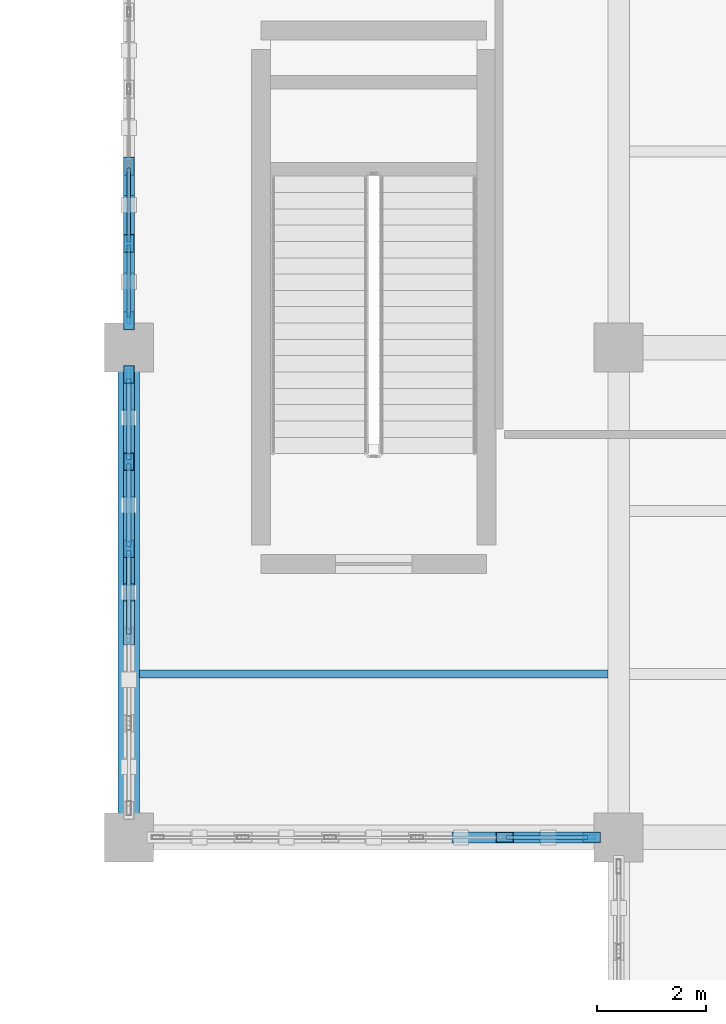
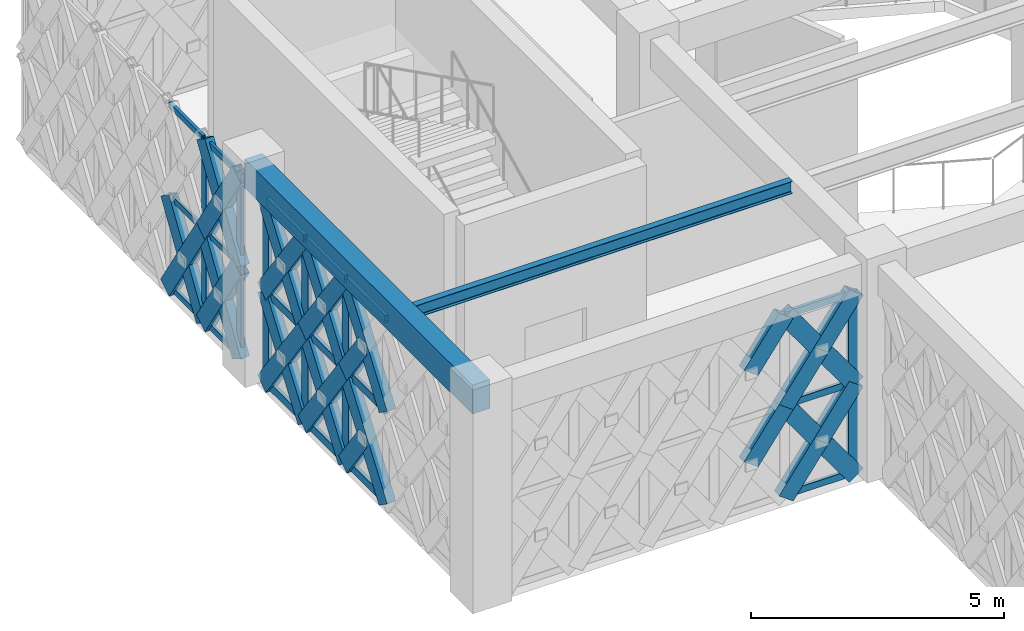
# One storey, part 63 of 155: 57 members, 2 beams, 3 elements without a shape of their own.
"""IFC4 building model written with IfcOpenShell, lengths in metres."""

from ifc_helpers import new_model, si_unit, direction, frame, origin, origin_2d, place, context, subcontext, project, spatial, rectangle, hollow_rectangle, i_section, extrude, material, material_profile, profile_set, type_object, element, aggregate, save


model = new_model("IFC4")

# Units and contexts
model_context = context("Model", 3, precision=1e-05, world=origin(), true_north=direction((0.0, 1.0)))
body_context = subcontext(model_context, "Body", "Model", "MODEL_VIEW")
ifc_project = project(units=[si_unit("LENGTHUNIT", "METRE"), si_unit("AREAUNIT", "SQUARE_METRE"), si_unit("VOLUMEUNIT", "CUBIC_METRE"), si_unit("PLANEANGLEUNIT", "RADIAN"), si_unit("MASSUNIT", "GRAM", prefix="KILO")], contexts=[model_context])

# Site, building, storey
site_placement = place(None, origin())
site = spatial("IfcSite", under=ifc_project, at=site_placement, CompositionType="ELEMENT")
building_placement = place(site_placement, origin())
building = spatial("IfcBuilding", under=site, at=building_placement, Name="Haizhuo Lancet Aquarium", CompositionType="ELEMENT")
storey_placement = place(building_placement, frame((0.0, 0.0, 10.800048828125)))
storey = spatial("IfcBuildingStorey", under=building, at=storey_placement, Name="L02", CompositionType="ELEMENT", Elevation=10.800048828125)

# Beam
ifc_material_1 = material(Name="Concrete C40/50", Category="concrete")
ifc_material_profile_1 = material_profile(ifc_material_1, rectangle(XDim=0.39990234375, YDim=0.699951171875, at=origin_2d()), Name="RC-BM 400x700")
ifc_profile_set_1 = profile_set([ifc_material_profile_1], Name="Concrete C40/50")
beam_type_1 = type_object("IfcBeamType", Name="BM-RC-400x700", PredefinedType="BEAM", material=ifc_profile_set_1)
beam_1_placement = place(storey_placement, frame((-27.0, 36.0, 4.81005859375), z_axis=(0.0, 1.0, 0.0), x_axis=(-1.0, 0.0, 0.0)))
element("IfcBeam", 1, at=beam_1_placement, inside=storey, type_object=beam_type_1, Name="L02 V5 primary girder BM-L02-V5-001", PredefinedType="BEAM", context=body_context, shape_type="SweptSolid", body=[
    extrude(rectangle(XDim=0.39990234375, YDim=0.699951171875, at=origin_2d()), origin(), (0.0, 0.0, 1.0), 9.0),
])

# Curtain wall, members
ifc_material_2 = material(Name="Aluminium 6063-T6", Category="aluminium")
curtain_wall_type_1 = type_object("IfcCurtainWallType", Name="CWD-8510x4440", PredefinedType="NOTDEFINED", material=ifc_material_2)
curtain_wall_1_placement = place(storey_placement, origin())
curtain_wall_1 = element("IfcCurtainWall", 2, at=curtain_wall_1_placement, inside=storey, type_object=curtain_wall_type_1, Name="L02 curtain wall CW-V5-L02-145", PredefinedType="NOTDEFINED")
ifc_material_profile_2 = material_profile(ifc_material_2, hollow_rectangle(XDim=0.06494140625, YDim=0.179931640625, WallThickness=0.00390625, at=origin_2d()), Name="ALU-M 65x180x4")
ifc_profile_set_2 = profile_set([ifc_material_profile_2], Name="Aluminium 6063-T6")
member_type_1 = type_object("IfcMemberType", Name="CW-MUL-1", PredefinedType="MULLION", material=ifc_profile_set_2)
member_1_placement = place(storey_placement, frame((-27.0, 45.527099609375, 0.0), z_axis=(0.0, 0.0, 1.0), x_axis=(-1.0, 0.0, 0.0)))
member_1 = element("IfcMember", 3, at=member_1_placement, type_object=member_type_1, Name="CWD-85x44 mullion 1", PredefinedType="MULLION", context=body_context, shape_type="SweptSolid", body=[
    extrude(hollow_rectangle(XDim=0.06494140625, YDim=0.179931640625, WallThickness=0.00390625, at=origin_2d()), origin(), (0.0, 0.0, 1.0), 4.445068359375),
])
member_2_placement = place(storey_placement, frame((-27.0, 46.912109375, 0.0), z_axis=(0.0, 0.0, 1.0), x_axis=(-1.0, 0.0, 0.0)))
member_2 = element("IfcMember", 4, at=member_2_placement, type_object=member_type_1, Name="CWD-85x44 mullion 2", PredefinedType="MULLION", context=body_context, shape_type="SweptSolid", body=[
    extrude(hollow_rectangle(XDim=0.06494140625, YDim=0.179931640625, WallThickness=0.00390625, at=origin_2d()), origin(), (0.0, 0.0, 1.0), 4.445068359375),
])

# Curtain wall, member
curtain_wall_type_2 = type_object("IfcCurtainWallType", Name="CWD-8010x4410", PredefinedType="NOTDEFINED", material=ifc_material_2)
curtain_wall_2_placement = place(storey_placement, origin())
curtain_wall_2 = element("IfcCurtainWall", 5, at=curtain_wall_2_placement, inside=storey, type_object=curtain_wall_type_2, Name="L02 curtain wall CW-V5-L02-143", PredefinedType="NOTDEFINED")
ifc_material_profile_3 = material_profile(ifc_material_2, hollow_rectangle(XDim=0.074951171875, YDim=0.219970703125, WallThickness=0.0048828125, at=origin_2d()), Name="ALU-M 75x220x5")
ifc_profile_set_3 = profile_set([ifc_material_profile_3], Name="Aluminium 6063-T6")
member_type_2 = type_object("IfcMemberType", Name="CW-MUL-2", PredefinedType="MULLION", material=ifc_profile_set_3)
member_3_placement = place(storey_placement, frame((-18.532958984375, 36.0, 0.0), z_axis=(0.0, 0.0, 1.0), x_axis=(0.0, -1.0, 0.0)))
member_3 = element("IfcMember", 6, at=member_3_placement, type_object=member_type_2, Name="CWD-80x44 mullion 1", PredefinedType="MULLION", context=body_context, shape_type="SweptSolid", body=[
    extrude(hollow_rectangle(XDim=0.074951171875, YDim=0.219970703125, WallThickness=0.0048828125, at=origin_2d()), origin(), (0.0, 0.0, 1.0), 4.409912109375),
])

# Curtain wall, members
curtain_wall_type_3 = type_object("IfcCurtainWallType", Name="CWD-8010x4460", PredefinedType="NOTDEFINED", material=ifc_material_2)
curtain_wall_3_placement = place(storey_placement, origin())
curtain_wall_3 = element("IfcCurtainWall", 7, at=curtain_wall_3_placement, inside=storey, type_object=curtain_wall_type_3, Name="L02 curtain wall CW-V5-L02-144", PredefinedType="NOTDEFINED")
ifc_material_profile_4 = material_profile(ifc_material_2, hollow_rectangle(XDim=0.080078125, YDim=0.260009765625, WallThickness=0.0048828125, at=origin_2d()), Name="ALU-M 80x260x5")
ifc_profile_set_4 = profile_set([ifc_material_profile_4], Name="Aluminium 6063-T6")
member_type_3 = type_object("IfcMemberType", Name="CW-MUL-3", PredefinedType="MULLION", material=ifc_profile_set_4)
member_4_placement = place(storey_placement, frame((-27.0, 41.301025390625, 0.0), z_axis=(0.0, 0.0, 1.0), x_axis=(-1.0, 0.0, 0.0)))
member_4 = element("IfcMember", 8, at=member_4_placement, type_object=member_type_3, Name="CWD-80x44 mullion 4", PredefinedType="MULLION", context=body_context, shape_type="SweptSolid", body=[
    extrude(hollow_rectangle(XDim=0.080078125, YDim=0.260009765625, WallThickness=0.0048828125, at=origin_2d()), origin(), (0.0, 0.0, 1.0), 4.4599609375),
])
member_5_placement = place(storey_placement, frame((-27.0, 42.903076171875, 0.0), z_axis=(0.0, 0.0, 1.0), x_axis=(-1.0, 0.0, 0.0)))
member_5 = element("IfcMember", 9, at=member_5_placement, type_object=member_type_3, Name="CWD-80x44 mullion 5", PredefinedType="MULLION", context=body_context, shape_type="SweptSolid", body=[
    extrude(hollow_rectangle(XDim=0.080078125, YDim=0.260009765625, WallThickness=0.0048828125, at=origin_2d()), origin(), (0.0, 0.0, 1.0), 4.4599609375),
])
member_6_placement = place(storey_placement, frame((-27.0, 44.465087890625, 0.0), z_axis=(0.0, 0.0, 1.0), x_axis=(-1.0, 0.0, 0.0)))
member_6 = element("IfcMember", 10, at=member_6_placement, type_object=member_type_3, Name="CWD-80x44 mullion 6", PredefinedType="MULLION", context=body_context, shape_type="SweptSolid", body=[
    extrude(hollow_rectangle(XDim=0.080078125, YDim=0.260009765625, WallThickness=0.0048828125, at=origin_2d()), origin(), (0.0, 0.0, 1.0), 4.4599609375),
])

# Member
ifc_material_profile_5 = material_profile(ifc_material_2, hollow_rectangle(XDim=0.06494140625, YDim=0.139892578125, WallThickness=0.00390625, at=origin_2d()), Name="ALU-T 65x140x4")
ifc_profile_set_5 = profile_set([ifc_material_profile_5], Name="Aluminium 6063-T6")
member_type_4 = type_object("IfcMemberType", Name="CW-TRN-1", PredefinedType="NOTDEFINED", material=ifc_profile_set_5)
member_7_placement = place(storey_placement, frame((-27.0, 45.56005859375, 0.032958984375), z_axis=(0.0, 1.0, 0.0), x_axis=(-1.0, 0.0, 0.0)))
member_7 = element("IfcMember", 11, at=member_7_placement, type_object=member_type_4, Name="CWD-85x44 transom 1.1", ObjectType="TRANSOM", PredefinedType="USERDEFINED", context=body_context, shape_type="SweptSolid", body=[
    extrude(hollow_rectangle(XDim=0.06494140625, YDim=0.139892578125, WallThickness=0.00390625, at=origin_2d()), origin(), (0.0, 0.0, 1.0), 1.31982421875),
])

member_8_placement = place(storey_placement, frame((-27.0, 45.56005859375, 2.222900390625), z_axis=(0.0, 1.0, 0.0), x_axis=(-1.0, 0.0, 0.0)))
member_8 = element("IfcMember", 12, at=member_8_placement, type_object=member_type_4, Name="CWD-85x44 transom 1.2", ObjectType="TRANSOM", PredefinedType="USERDEFINED", context=body_context, shape_type="SweptSolid", body=[
    extrude(hollow_rectangle(XDim=0.06494140625, YDim=0.139892578125, WallThickness=0.00390625, at=origin_2d()), origin(), (0.0, 0.0, 1.0), 1.31982421875),
])

member_9_placement = place(storey_placement, frame((-27.0, 45.56005859375, 4.411865234375), z_axis=(0.0, 1.0, 0.0), x_axis=(-1.0, 0.0, 0.0)))
member_9 = element("IfcMember", 13, at=member_9_placement, type_object=member_type_4, Name="CWD-85x44 transom 1.3", ObjectType="TRANSOM", PredefinedType="USERDEFINED", context=body_context, shape_type="SweptSolid", body=[
    extrude(hollow_rectangle(XDim=0.06494140625, YDim=0.139892578125, WallThickness=0.00390625, at=origin_2d()), origin(), (0.0, 0.0, 1.0), 1.31982421875),
])

member_10_placement = place(storey_placement, frame((-27.0, 46.945068359375, 0.032958984375), z_axis=(0.0, 1.0, 0.0), x_axis=(-1.0, 0.0, 0.0)))
member_10 = element("IfcMember", 14, at=member_10_placement, type_object=member_type_4, Name="CWD-85x44 transom 2.1", ObjectType="TRANSOM", PredefinedType="USERDEFINED", context=body_context, shape_type="SweptSolid", body=[
    extrude(hollow_rectangle(XDim=0.06494140625, YDim=0.139892578125, WallThickness=0.00390625, at=origin_2d()), origin(), (0.0, 0.0, 1.0), 1.35205078125),
])

member_11_placement = place(storey_placement, frame((-27.0, 46.945068359375, 2.222900390625), z_axis=(0.0, 1.0, 0.0), x_axis=(-1.0, 0.0, 0.0)))
member_11 = element("IfcMember", 15, at=member_11_placement, type_object=member_type_4, Name="CWD-85x44 transom 2.2", ObjectType="TRANSOM", PredefinedType="USERDEFINED", context=body_context, shape_type="SweptSolid", body=[
    extrude(hollow_rectangle(XDim=0.06494140625, YDim=0.139892578125, WallThickness=0.00390625, at=origin_2d()), origin(), (0.0, 0.0, 1.0), 1.35205078125),
])

member_12_placement = place(storey_placement, frame((-27.0, 46.945068359375, 4.411865234375), z_axis=(0.0, 1.0, 0.0), x_axis=(-1.0, 0.0, 0.0)))
member_12 = element("IfcMember", 16, at=member_12_placement, type_object=member_type_4, Name="CWD-85x44 transom 2.3", ObjectType="TRANSOM", PredefinedType="USERDEFINED", context=body_context, shape_type="SweptSolid", body=[
    extrude(hollow_rectangle(XDim=0.06494140625, YDim=0.139892578125, WallThickness=0.00390625, at=origin_2d()), origin(), (0.0, 0.0, 1.0), 1.35205078125),
])

aggregate(curtain_wall_1, [member_1, member_2, member_7, member_8, member_9, member_10, member_11, member_12])

ifc_material_profile_6 = material_profile(ifc_material_2, hollow_rectangle(XDim=0.074951171875, YDim=0.159912109375, WallThickness=0.00390625, at=origin_2d()), Name="ALU-T 75x160x4")
ifc_profile_set_6 = profile_set([ifc_material_profile_6], Name="Aluminium 6063-T6")
member_type_5 = type_object("IfcMemberType", Name="CW-TRN-2", PredefinedType="NOTDEFINED", material=ifc_profile_set_6)
member_13_placement = place(storey_placement, frame((-18.570068359375, 36.0, 0.037841796875), z_axis=(-1.0, 0.0, 0.0), x_axis=(0.0, -1.0, 0.0)))
member_13 = element("IfcMember", 17, at=member_13_placement, type_object=member_type_5, Name="CWD-80x44 transom 1.1", ObjectType="TRANSOM", PredefinedType="USERDEFINED", context=body_context, shape_type="SweptSolid", body=[
    extrude(hollow_rectangle(XDim=0.074951171875, YDim=0.159912109375, WallThickness=0.00390625, at=origin_2d()), origin(), (0.0, 0.0, 1.0), 1.489013671875),
])

member_14_placement = place(storey_placement, frame((-18.570068359375, 36.0, 2.204833984375), z_axis=(-1.0, 0.0, 0.0), x_axis=(0.0, -1.0, 0.0)))
member_14 = element("IfcMember", 18, at=member_14_placement, type_object=member_type_5, Name="CWD-80x44 transom 1.2", ObjectType="TRANSOM", PredefinedType="USERDEFINED", context=body_context, shape_type="SweptSolid", body=[
    extrude(hollow_rectangle(XDim=0.074951171875, YDim=0.159912109375, WallThickness=0.00390625, at=origin_2d()), origin(), (0.0, 0.0, 1.0), 1.489013671875),
])

member_15_placement = place(storey_placement, frame((-18.570068359375, 36.0, 4.373046875), z_axis=(-1.0, 0.0, 0.0), x_axis=(0.0, -1.0, 0.0)))
member_15 = element("IfcMember", 19, at=member_15_placement, type_object=member_type_5, Name="CWD-80x44 transom 1.3", ObjectType="TRANSOM", PredefinedType="USERDEFINED", context=body_context, shape_type="SweptSolid", body=[
    extrude(hollow_rectangle(XDim=0.074951171875, YDim=0.159912109375, WallThickness=0.00390625, at=origin_2d()), origin(), (0.0, 0.0, 1.0), 1.489013671875),
])

aggregate(curtain_wall_2, [member_3, member_13, member_14, member_15])

ifc_material_profile_7 = material_profile(ifc_material_2, hollow_rectangle(XDim=0.080078125, YDim=0.18994140625, WallThickness=0.0048828125, at=origin_2d()), Name="ALU-T 80x190x5")
ifc_profile_set_7 = profile_set([ifc_material_profile_7], Name="Aluminium 6063-T6")
member_type_6 = type_object("IfcMemberType", Name="CW-TRN-3", PredefinedType="NOTDEFINED", material=ifc_profile_set_7)
member_16_placement = place(storey_placement, frame((-27.0, 39.739013671875, 0.0400390625), z_axis=(0.0, 1.0, 0.0), x_axis=(-1.0, 0.0, 0.0)))
member_16 = element("IfcMember", 20, at=member_16_placement, type_object=member_type_6, Name="CWD-80x44 transom 3.1", ObjectType="TRANSOM", PredefinedType="USERDEFINED", context=body_context, shape_type="SweptSolid", body=[
    extrude(hollow_rectangle(XDim=0.080078125, YDim=0.18994140625, WallThickness=0.0048828125, at=origin_2d()), origin(), (0.0, 0.0, 1.0), 1.52197265625),
])

member_17_placement = place(storey_placement, frame((-27.0, 39.739013671875, 2.22998046875), z_axis=(0.0, 1.0, 0.0), x_axis=(-1.0, 0.0, 0.0)))
member_17 = element("IfcMember", 21, at=member_17_placement, type_object=member_type_6, Name="CWD-80x44 transom 3.2", ObjectType="TRANSOM", PredefinedType="USERDEFINED", context=body_context, shape_type="SweptSolid", body=[
    extrude(hollow_rectangle(XDim=0.080078125, YDim=0.18994140625, WallThickness=0.0048828125, at=origin_2d()), origin(), (0.0, 0.0, 1.0), 1.52197265625),
])

member_18_placement = place(storey_placement, frame((-27.0, 39.739013671875, 4.419921875), z_axis=(0.0, 1.0, 0.0), x_axis=(-1.0, 0.0, 0.0)))
member_18 = element("IfcMember", 22, at=member_18_placement, type_object=member_type_6, Name="CWD-80x44 transom 3.3", ObjectType="TRANSOM", PredefinedType="USERDEFINED", context=body_context, shape_type="SweptSolid", body=[
    extrude(hollow_rectangle(XDim=0.080078125, YDim=0.18994140625, WallThickness=0.0048828125, at=origin_2d()), origin(), (0.0, 0.0, 1.0), 1.52197265625),
])

member_19_placement = place(storey_placement, frame((-27.0, 41.341064453125, 0.0400390625), z_axis=(0.0, 1.0, 0.0), x_axis=(-1.0, 0.0, 0.0)))
member_19 = element("IfcMember", 23, at=member_19_placement, type_object=member_type_6, Name="CWD-80x44 transom 4.1", ObjectType="TRANSOM", PredefinedType="USERDEFINED", context=body_context, shape_type="SweptSolid", body=[
    extrude(hollow_rectangle(XDim=0.080078125, YDim=0.18994140625, WallThickness=0.0048828125, at=origin_2d()), origin(), (0.0, 0.0, 1.0), 1.52197265625),
])

member_20_placement = place(storey_placement, frame((-27.0, 41.341064453125, 2.22998046875), z_axis=(0.0, 1.0, 0.0), x_axis=(-1.0, 0.0, 0.0)))
member_20 = element("IfcMember", 24, at=member_20_placement, type_object=member_type_6, Name="CWD-80x44 transom 4.2", ObjectType="TRANSOM", PredefinedType="USERDEFINED", context=body_context, shape_type="SweptSolid", body=[
    extrude(hollow_rectangle(XDim=0.080078125, YDim=0.18994140625, WallThickness=0.0048828125, at=origin_2d()), origin(), (0.0, 0.0, 1.0), 1.52197265625),
])

member_21_placement = place(storey_placement, frame((-27.0, 41.341064453125, 4.419921875), z_axis=(0.0, 1.0, 0.0), x_axis=(-1.0, 0.0, 0.0)))
member_21 = element("IfcMember", 25, at=member_21_placement, type_object=member_type_6, Name="CWD-80x44 transom 4.3", ObjectType="TRANSOM", PredefinedType="USERDEFINED", context=body_context, shape_type="SweptSolid", body=[
    extrude(hollow_rectangle(XDim=0.080078125, YDim=0.18994140625, WallThickness=0.0048828125, at=origin_2d()), origin(), (0.0, 0.0, 1.0), 1.52197265625),
])

member_22_placement = place(storey_placement, frame((-27.0, 42.943115234375, 0.0400390625), z_axis=(0.0, 1.0, 0.0), x_axis=(-1.0, 0.0, 0.0)))
member_22 = element("IfcMember", 26, at=member_22_placement, type_object=member_type_6, Name="CWD-80x44 transom 5.1", ObjectType="TRANSOM", PredefinedType="USERDEFINED", context=body_context, shape_type="SweptSolid", body=[
    extrude(hollow_rectangle(XDim=0.080078125, YDim=0.18994140625, WallThickness=0.0048828125, at=origin_2d()), origin(), (0.0, 0.0, 1.0), 1.48193359375),
])

member_23_placement = place(storey_placement, frame((-27.0, 42.943115234375, 2.22998046875), z_axis=(0.0, 1.0, 0.0), x_axis=(-1.0, 0.0, 0.0)))
member_23 = element("IfcMember", 27, at=member_23_placement, type_object=member_type_6, Name="CWD-80x44 transom 5.2", ObjectType="TRANSOM", PredefinedType="USERDEFINED", context=body_context, shape_type="SweptSolid", body=[
    extrude(hollow_rectangle(XDim=0.080078125, YDim=0.18994140625, WallThickness=0.0048828125, at=origin_2d()), origin(), (0.0, 0.0, 1.0), 1.48193359375),
])

member_24_placement = place(storey_placement, frame((-27.0, 42.943115234375, 4.419921875), z_axis=(0.0, 1.0, 0.0), x_axis=(-1.0, 0.0, 0.0)))
member_24 = element("IfcMember", 28, at=member_24_placement, type_object=member_type_6, Name="CWD-80x44 transom 5.3", ObjectType="TRANSOM", PredefinedType="USERDEFINED", context=body_context, shape_type="SweptSolid", body=[
    extrude(hollow_rectangle(XDim=0.080078125, YDim=0.18994140625, WallThickness=0.0048828125, at=origin_2d()), origin(), (0.0, 0.0, 1.0), 1.48193359375),
])

aggregate(curtain_wall_3, [member_4, member_5, member_6, member_16, member_17, member_18, member_19, member_20, member_21, member_22, member_23, member_24])

# Beam
ifc_material_3 = material(Name="Steel S355", Category="steel")
ifc_material_profile_8 = material_profile(ifc_material_3, i_section(OverallWidth=0.14990234375, OverallDepth=0.300048828125, WebThickness=0.006591796875, FlangeThickness=0.009033203125, FilletRadius=0.012939453125, at=origin_2d()), Name="HN 300x150x6.5x9")
ifc_profile_set_8 = profile_set([ifc_material_profile_8], Name="Steel S355")
beam_type_2 = type_object("IfcBeamType", Name="JST-ST-HN300", PredefinedType="JOIST", material=ifc_profile_set_8)
beam_2_placement = place(storey_placement, frame((-26.800048828125, 39.0, 5.010009765625), z_axis=(1.0, 0.0, 0.0), x_axis=(0.0, 1.0, 0.0)))
element("IfcBeam", 29, at=beam_2_placement, inside=storey, type_object=beam_type_2, Name="L02 V5 secondary floor joist 1", PredefinedType="JOIST", context=body_context, shape_type="SweptSolid", body=[
    extrude(i_section(OverallWidth=0.14990234375, OverallDepth=0.300048828125, WebThickness=0.006591796875, FlangeThickness=0.009033203125, FilletRadius=0.012939453125, at=origin_2d()), origin(), (0.0, 0.0, 1.0), 8.60009765625),
])

# Members
ifc_material_profile_9 = material_profile(ifc_material_3, hollow_rectangle(XDim=0.199951171875, YDim=0.39990234375, WallThickness=0.011962890625, at=origin_2d()), Name="RHS 200x400x12")
ifc_profile_set_9 = profile_set([ifc_material_profile_9], Name="Steel S355")
member_type_7 = type_object("IfcMemberType", Name="MEM-LB-RHS200x400", PredefinedType="BRACE", material=ifc_profile_set_9)
member_25_placement = place(storey_placement, frame((-18.4951171875, 36.0, 0.0), z_axis=(-0.587761471996, 0.0, 0.809034271238), x_axis=(0.0, -1.0, 0.0)))
element("IfcMember", 30, at=member_25_placement, inside=storey, type_object=member_type_7, Name="Gothic lancet continuous diagonal brace CW-V5-L02-143 1A", PredefinedType="BRACE", context=body_context, shape_type="SweptSolid", body=[
    extrude(hollow_rectangle(XDim=0.199951171875, YDim=0.39990234375, WallThickness=0.011962890625, at=origin_2d()), origin(), (0.0, 0.0, 1.0), 2.725341796875),
])
member_26_placement = place(storey_placement, frame((-20.096923828125, 36.0, 0.0), z_axis=(0.587947920096, 0.0, 0.808898784308), x_axis=(0.0, 1.0, 0.0)))
element("IfcMember", 31, at=member_26_placement, inside=storey, type_object=member_type_7, Name="Gothic lancet split diagonal brace CW-V5-L02-143 1B1", PredefinedType="BRACE", context=body_context, shape_type="SweptSolid", body=[
    extrude(hollow_rectangle(XDim=0.199951171875, YDim=0.39990234375, WallThickness=0.011962890625, at=origin_2d()), origin(), (0.0, 0.0, 1.0), 1.3623046875),
])
member_27_placement = place(storey_placement, frame((-19.2958984375, 36.0, 1.10205078125), z_axis=(0.587575054123, 0.0, 0.809169670571), x_axis=(0.0, 1.0, 0.0)))
element("IfcMember", 32, at=member_27_placement, inside=storey, type_object=member_type_7, Name="Gothic lancet split diagonal brace CW-V5-L02-143 1B2", PredefinedType="BRACE", context=body_context, shape_type="SweptSolid", body=[
    extrude(hollow_rectangle(XDim=0.199951171875, YDim=0.39990234375, WallThickness=0.011962890625, at=origin_2d()), origin(), (0.0, 0.0, 1.0), 1.36279296875),
])
member_28_placement = place(storey_placement, frame((-18.4951171875, 36.0, 2.204833984375), z_axis=(-0.587718875297, 0.0, 0.809065215925), x_axis=(0.0, -1.0, 0.0)))
element("IfcMember", 33, at=member_28_placement, inside=storey, type_object=member_type_7, Name="Gothic lancet continuous diagonal brace CW-V5-L02-143 2A", PredefinedType="BRACE", context=body_context, shape_type="SweptSolid", body=[
    extrude(hollow_rectangle(XDim=0.199951171875, YDim=0.39990234375, WallThickness=0.011962890625, at=origin_2d()), origin(), (0.0, 0.0, 1.0), 2.7255859375),
])
member_29_placement = place(storey_placement, frame((-20.096923828125, 36.0, 2.204833984375), z_axis=(0.58760716657, 0.0, 0.809146351284), x_axis=(0.0, 1.0, 0.0)))
element("IfcMember", 34, at=member_29_placement, inside=storey, type_object=member_type_7, Name="Gothic lancet split diagonal brace CW-V5-L02-143 2B1", PredefinedType="BRACE", context=body_context, shape_type="SweptSolid", body=[
    extrude(hollow_rectangle(XDim=0.199951171875, YDim=0.39990234375, WallThickness=0.011962890625, at=origin_2d()), origin(), (0.0, 0.0, 1.0), 1.36328125),
])
member_30_placement = place(storey_placement, frame((-19.2958984375, 36.0, 3.307861328125), z_axis=(0.587830649366, 0.0, 0.808984009524), x_axis=(0.0, 1.0, 0.0)))
element("IfcMember", 35, at=member_30_placement, inside=storey, type_object=member_type_7, Name="Gothic lancet split diagonal brace CW-V5-L02-143 2B2", PredefinedType="BRACE", context=body_context, shape_type="SweptSolid", body=[
    extrude(hollow_rectangle(XDim=0.199951171875, YDim=0.39990234375, WallThickness=0.011962890625, at=origin_2d()), origin(), (0.0, 0.0, 1.0), 1.3623046875),
])
member_31_placement = place(storey_placement, frame((-20.89794921875, 36.0, 1.10205078125), z_axis=(0.587692327688, 0.0, 0.809084499899), x_axis=(0.0, 1.0, 0.0)))
element("IfcMember", 36, at=member_31_placement, inside=storey, type_object=member_type_7, Name="Gothic lancet split diagonal brace CW-V5-L02-143 3B2", PredefinedType="BRACE", context=body_context, shape_type="SweptSolid", body=[
    extrude(hollow_rectangle(XDim=0.199951171875, YDim=0.39990234375, WallThickness=0.011962890625, at=origin_2d()), origin(), (0.0, 0.0, 1.0), 1.363037109375),
])
member_32_placement = place(storey_placement, frame((-20.89794921875, 36.0, 3.307861328125), z_axis=(0.587947920096, 0.0, 0.808898784308), x_axis=(0.0, 1.0, 0.0)))
element("IfcMember", 37, at=member_32_placement, inside=storey, type_object=member_type_7, Name="Gothic lancet split diagonal brace CW-V5-L02-143 4B2", PredefinedType="BRACE", context=body_context, shape_type="SweptSolid", body=[
    extrude(hollow_rectangle(XDim=0.199951171875, YDim=0.39990234375, WallThickness=0.011962890625, at=origin_2d()), origin(), (0.0, 0.0, 1.0), 1.3623046875),
])
member_33_placement = place(storey_placement, frame((-27.0, 39.698974609375, 0.0), z_axis=(0.0, 0.583456487426, 0.81214440051), x_axis=(-1.0, 0.0, 0.0)))
element("IfcMember", 38, at=member_33_placement, inside=storey, type_object=member_type_7, Name="Gothic lancet continuous diagonal brace CW-V5-L02-144 5A", PredefinedType="BRACE", context=body_context, shape_type="SweptSolid", body=[
    extrude(hollow_rectangle(XDim=0.199951171875, YDim=0.39990234375, WallThickness=0.011962890625, at=origin_2d()), origin(), (0.0, 0.0, 1.0), 2.745849609375),
])
member_34_placement = place(storey_placement, frame((-27.0, 41.301025390625, 0.0), z_axis=(0.0, -0.583456487426, 0.81214440051), x_axis=(1.0, 0.0, 0.0)))
element("IfcMember", 39, at=member_34_placement, inside=storey, type_object=member_type_7, Name="Gothic lancet split diagonal brace CW-V5-L02-144 5B1", PredefinedType="BRACE", context=body_context, shape_type="SweptSolid", body=[
    extrude(hollow_rectangle(XDim=0.199951171875, YDim=0.39990234375, WallThickness=0.011962890625, at=origin_2d()), origin(), (0.0, 0.0, 1.0), 1.372802734375),
])
member_35_placement = place(storey_placement, frame((-27.0, 39.698974609375, 2.22998046875), z_axis=(0.0, 0.583456487426, 0.81214440051), x_axis=(-1.0, 0.0, 0.0)))
element("IfcMember", 40, at=member_35_placement, inside=storey, type_object=member_type_7, Name="Gothic lancet continuous diagonal brace CW-V5-L02-144 6A", PredefinedType="BRACE", context=body_context, shape_type="SweptSolid", body=[
    extrude(hollow_rectangle(XDim=0.199951171875, YDim=0.39990234375, WallThickness=0.011962890625, at=origin_2d()), origin(), (0.0, 0.0, 1.0), 2.745849609375),
])
member_36_placement = place(storey_placement, frame((-27.0, 41.301025390625, 2.22998046875), z_axis=(0.0, -0.583456487426, 0.81214440051), x_axis=(1.0, 0.0, 0.0)))
element("IfcMember", 41, at=member_36_placement, inside=storey, type_object=member_type_7, Name="Gothic lancet split diagonal brace CW-V5-L02-144 6B1", PredefinedType="BRACE", context=body_context, shape_type="SweptSolid", body=[
    extrude(hollow_rectangle(XDim=0.199951171875, YDim=0.39990234375, WallThickness=0.011962890625, at=origin_2d()), origin(), (0.0, 0.0, 1.0), 1.372802734375),
])
member_37_placement = place(storey_placement, frame((-27.0, 41.301025390625, 0.0), z_axis=(0.0, 0.583456487426, 0.81214440051), x_axis=(-1.0, 0.0, 0.0)))
element("IfcMember", 42, at=member_37_placement, inside=storey, type_object=member_type_7, Name="Gothic lancet continuous diagonal brace CW-V5-L02-144 7A", PredefinedType="BRACE", context=body_context, shape_type="SweptSolid", body=[
    extrude(hollow_rectangle(XDim=0.199951171875, YDim=0.39990234375, WallThickness=0.011962890625, at=origin_2d()), origin(), (0.0, 0.0, 1.0), 2.745849609375),
])
for number, where, z_axis, x_axis, name in (
    (43, (-27.0, 42.903076171875, 0.0), (0.0, -0.583456487426, 0.81214440051), (1.0, 0.0, 0.0), "Gothic lancet split diagonal brace CW-V5-L02-144 7B1"),
    (44, (-27.0, 42.10205078125, 1.114990234375), (0.0, -0.583456487426, 0.81214440051), (1.0, 0.0, 0.0), "Gothic lancet split diagonal brace CW-V5-L02-144 7B2"),
):
    element("IfcMember", number, at=place(storey_placement, frame(where, z_axis=z_axis, x_axis=x_axis)), inside=storey, type_object=member_type_7, Name=name, PredefinedType="BRACE", context=body_context, shape_type="SweptSolid", body=[
        extrude(hollow_rectangle(XDim=0.199951171875, YDim=0.39990234375, WallThickness=0.011962890625, at=origin_2d()), origin(), (0.0, 0.0, 1.0), 1.372802734375),
    ])
member_38_placement = place(storey_placement, frame((-27.0, 41.301025390625, 2.22998046875), z_axis=(0.0, 0.583456487426, 0.81214440051), x_axis=(-1.0, 0.0, 0.0)))
element("IfcMember", 45, at=member_38_placement, inside=storey, type_object=member_type_7, Name="Gothic lancet continuous diagonal brace CW-V5-L02-144 8A", PredefinedType="BRACE", context=body_context, shape_type="SweptSolid", body=[
    extrude(hollow_rectangle(XDim=0.199951171875, YDim=0.39990234375, WallThickness=0.011962890625, at=origin_2d()), origin(), (0.0, 0.0, 1.0), 2.745849609375),
])
for number, where, z_axis, x_axis, name in (
    (46, (-27.0, 42.903076171875, 2.22998046875), (0.0, -0.583456487426, 0.81214440051), (1.0, 0.0, 0.0), "Gothic lancet split diagonal brace CW-V5-L02-144 8B1"),
    (47, (-27.0, 42.10205078125, 3.344970703125), (0.0, -0.583456487426, 0.81214440051), (1.0, 0.0, 0.0), "Gothic lancet split diagonal brace CW-V5-L02-144 8B2"),
):
    element("IfcMember", number, at=place(storey_placement, frame(where, z_axis=z_axis, x_axis=x_axis)), inside=storey, type_object=member_type_7, Name=name, PredefinedType="BRACE", context=body_context, shape_type="SweptSolid", body=[
        extrude(hollow_rectangle(XDim=0.199951171875, YDim=0.39990234375, WallThickness=0.011962890625, at=origin_2d()), origin(), (0.0, 0.0, 1.0), 1.372802734375),
    ])
member_39_placement = place(storey_placement, frame((-27.0, 42.903076171875, 0.0), z_axis=(0.0, 0.583397836814, 0.812186532763), x_axis=(-1.0, 0.0, 0.0)))
element("IfcMember", 48, at=member_39_placement, inside=storey, type_object=member_type_7, Name="Gothic lancet continuous diagonal brace CW-V5-L02-144 9A", PredefinedType="BRACE", context=body_context, shape_type="SweptSolid", body=[
    extrude(hollow_rectangle(XDim=0.199951171875, YDim=0.39990234375, WallThickness=0.011962890625, at=origin_2d()), origin(), (0.0, 0.0, 1.0), 2.74560546875),
])
for number, where, z_axis, x_axis, name in (
    (49, (-27.0, 44.5048828125, 0.0), (0.0, -0.583339177073, 0.81222866515), (1.0, 0.0, 0.0), "Gothic lancet split diagonal brace CW-V5-L02-144 9B1"),
    (50, (-27.0, 43.7041015625, 1.114990234375), (0.0, -0.583456487426, 0.81214440051), (1.0, 0.0, 0.0), "Gothic lancet split diagonal brace CW-V5-L02-144 9B2"),
):
    element("IfcMember", number, at=place(storey_placement, frame(where, z_axis=z_axis, x_axis=x_axis)), inside=storey, type_object=member_type_7, Name=name, PredefinedType="BRACE", context=body_context, shape_type="SweptSolid", body=[
        extrude(hollow_rectangle(XDim=0.199951171875, YDim=0.39990234375, WallThickness=0.011962890625, at=origin_2d()), origin(), (0.0, 0.0, 1.0), 1.372802734375),
    ])
member_40_placement = place(storey_placement, frame((-27.0, 42.903076171875, 2.22998046875), z_axis=(0.0, 0.583397836814, 0.812186532763), x_axis=(-1.0, 0.0, 0.0)))
element("IfcMember", 51, at=member_40_placement, inside=storey, type_object=member_type_7, Name="Gothic lancet continuous diagonal brace CW-V5-L02-144 10A", PredefinedType="BRACE", context=body_context, shape_type="SweptSolid", body=[
    extrude(hollow_rectangle(XDim=0.199951171875, YDim=0.39990234375, WallThickness=0.011962890625, at=origin_2d()), origin(), (0.0, 0.0, 1.0), 2.74560546875),
])
for number, where, z_axis, x_axis, name in (
    (52, (-27.0, 44.5048828125, 2.22998046875), (0.0, -0.583339177073, 0.81222866515), (1.0, 0.0, 0.0), "Gothic lancet split diagonal brace CW-V5-L02-144 10B1"),
    (53, (-27.0, 43.7041015625, 3.344970703125), (0.0, -0.583456487426, 0.81214440051), (1.0, 0.0, 0.0), "Gothic lancet split diagonal brace CW-V5-L02-144 10B2"),
):
    element("IfcMember", number, at=place(storey_placement, frame(where, z_axis=z_axis, x_axis=x_axis)), inside=storey, type_object=member_type_7, Name=name, PredefinedType="BRACE", context=body_context, shape_type="SweptSolid", body=[
        extrude(hollow_rectangle(XDim=0.199951171875, YDim=0.39990234375, WallThickness=0.011962890625, at=origin_2d()), origin(), (0.0, 0.0, 1.0), 1.372802734375),
    ])
member_41_placement = place(storey_placement, frame((-27.0, 45.4951171875, 0.0), z_axis=(0.0, 0.537528528572, 0.843245563861), x_axis=(-1.0, 0.0, 0.0)))
element("IfcMember", 54, at=member_41_placement, inside=storey, type_object=member_type_7, Name="Gothic lancet continuous diagonal brace CW-V5-L02-145 1A", PredefinedType="BRACE", context=body_context, shape_type="SweptSolid", body=[
    extrude(hollow_rectangle(XDim=0.199951171875, YDim=0.39990234375, WallThickness=0.011962890625, at=origin_2d()), origin(), (0.0, 0.0, 1.0), 2.63623046875),
])
member_42_placement = place(storey_placement, frame((-27.0, 46.912109375, 0.0), z_axis=(0.0, -0.537713618282, 0.843127549493), x_axis=(1.0, 0.0, 0.0)))
element("IfcMember", 55, at=member_42_placement, inside=storey, type_object=member_type_7, Name="Gothic lancet split diagonal brace CW-V5-L02-145 1B1", PredefinedType="BRACE", context=body_context, shape_type="SweptSolid", body=[
    extrude(hollow_rectangle(XDim=0.199951171875, YDim=0.39990234375, WallThickness=0.011962890625, at=origin_2d()), origin(), (0.0, 0.0, 1.0), 1.319091796875),
])
member_43_placement = place(storey_placement, frame((-27.0, 46.202880859375, 1.112060546875), z_axis=(0.0, -0.537343157613, 0.84336370029), x_axis=(1.0, 0.0, 0.0)))
element("IfcMember", 56, at=member_43_placement, inside=storey, type_object=member_type_7, Name="Gothic lancet split diagonal brace CW-V5-L02-145 1B2", PredefinedType="BRACE", context=body_context, shape_type="SweptSolid", body=[
    extrude(hollow_rectangle(XDim=0.199951171875, YDim=0.39990234375, WallThickness=0.011962890625, at=origin_2d()), origin(), (0.0, 0.0, 1.0), 1.317138671875),
])
member_44_placement = place(storey_placement, frame((-27.0, 45.4951171875, 2.222900390625), z_axis=(0.0, 0.537654488392, 0.843165257296), x_axis=(-1.0, 0.0, 0.0)))
element("IfcMember", 57, at=member_44_placement, inside=storey, type_object=member_type_7, Name="Gothic lancet continuous diagonal brace CW-V5-L02-145 2A", PredefinedType="BRACE", context=body_context, shape_type="SweptSolid", body=[
    extrude(hollow_rectangle(XDim=0.199951171875, YDim=0.39990234375, WallThickness=0.011962890625, at=origin_2d()), origin(), (0.0, 0.0, 1.0), 2.635498046875),
])
member_45_placement = place(storey_placement, frame((-27.0, 46.912109375, 2.222900390625), z_axis=(0.0, -0.538049452692, 0.842913273391), x_axis=(1.0, 0.0, 0.0)))
element("IfcMember", 58, at=member_45_placement, inside=storey, type_object=member_type_7, Name="Gothic lancet split diagonal brace CW-V5-L02-145 2B1", PredefinedType="BRACE", context=body_context, shape_type="SweptSolid", body=[
    extrude(hollow_rectangle(XDim=0.199951171875, YDim=0.39990234375, WallThickness=0.011962890625, at=origin_2d()), origin(), (0.0, 0.0, 1.0), 1.318115234375),
])
member_46_placement = place(storey_placement, frame((-27.0, 46.202880859375, 3.333984375), z_axis=(0.0, -0.537259169848, 0.843417206615), x_axis=(1.0, 0.0, 0.0)))
element("IfcMember", 59, at=member_46_placement, inside=storey, type_object=member_type_7, Name="Gothic lancet split diagonal brace CW-V5-L02-145 2B2", PredefinedType="BRACE", context=body_context, shape_type="SweptSolid", body=[
    extrude(hollow_rectangle(XDim=0.199951171875, YDim=0.39990234375, WallThickness=0.011962890625, at=origin_2d()), origin(), (0.0, 0.0, 1.0), 1.3173828125),
])
member_47_placement = place(storey_placement, frame((-27.0, 46.912109375, 0.0), z_axis=(0.0, 0.537791865951, 0.843077641096), x_axis=(-1.0, 0.0, 0.0)))
element("IfcMember", 60, at=member_47_placement, inside=storey, type_object=member_type_7, Name="Gothic lancet continuous diagonal brace CW-V5-L02-145 3A", PredefinedType="BRACE", context=body_context, shape_type="SweptSolid", body=[
    extrude(hollow_rectangle(XDim=0.199951171875, YDim=0.39990234375, WallThickness=0.011962890625, at=origin_2d()), origin(), (0.0, 0.0, 1.0), 2.63671875),
])
member_48_placement = place(storey_placement, frame((-27.0, 48.330078125, 0.0), z_axis=(0.0, -0.537582018159, 0.843211464433), x_axis=(1.0, 0.0, 0.0)))
element("IfcMember", 61, at=member_48_placement, inside=storey, type_object=member_type_7, Name="Gothic lancet split diagonal brace CW-V5-L02-145 3B1", PredefinedType="BRACE", context=body_context, shape_type="SweptSolid", body=[
    extrude(hollow_rectangle(XDim=0.199951171875, YDim=0.39990234375, WallThickness=0.011962890625, at=origin_2d()), origin(), (0.0, 0.0, 1.0), 1.31884765625),
])
member_49_placement = place(storey_placement, frame((-27.0, 47.62109375, 1.112060546875), z_axis=(0.0, -0.538001844272, 0.842943660964), x_axis=(1.0, 0.0, 0.0)))
element("IfcMember", 62, at=member_49_placement, inside=storey, type_object=member_type_7, Name="Gothic lancet split diagonal brace CW-V5-L02-145 3B2", PredefinedType="BRACE", context=body_context, shape_type="SweptSolid", body=[
    extrude(hollow_rectangle(XDim=0.199951171875, YDim=0.39990234375, WallThickness=0.011962890625, at=origin_2d()), origin(), (0.0, 0.0, 1.0), 1.31787109375),
])

save(model, "model.ifc")
